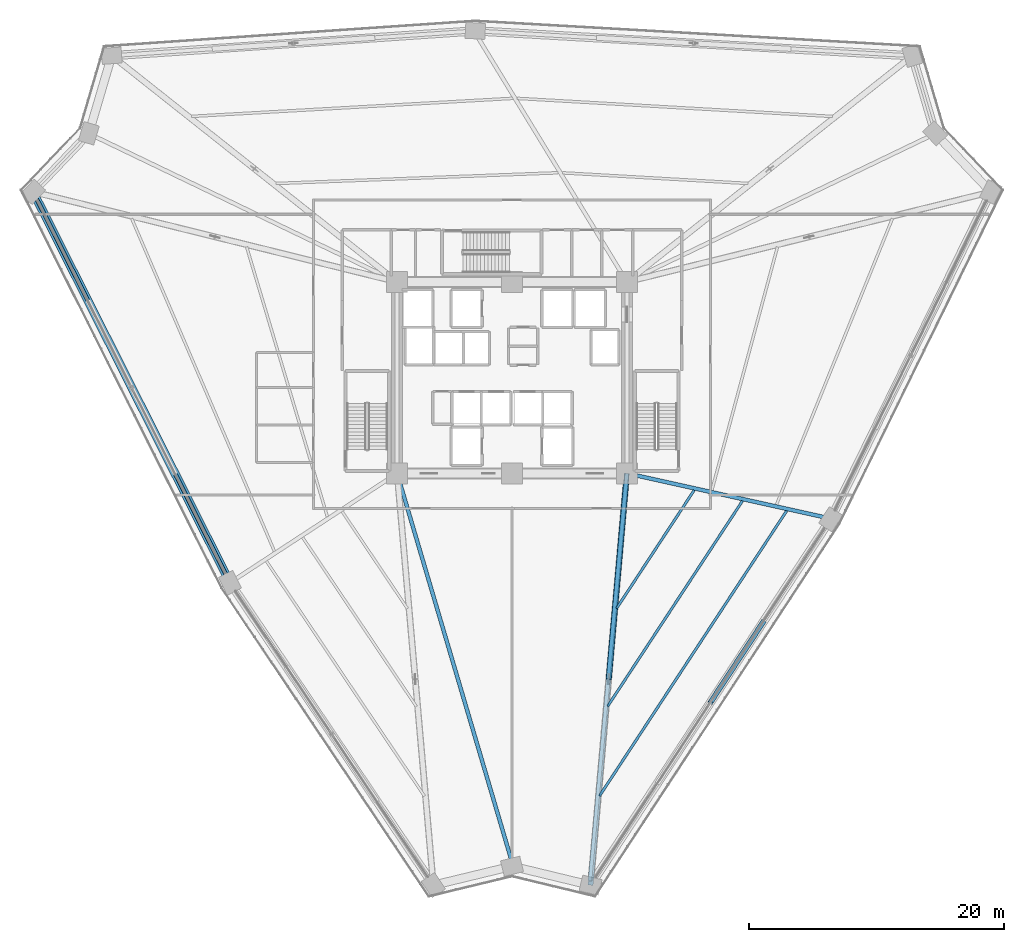
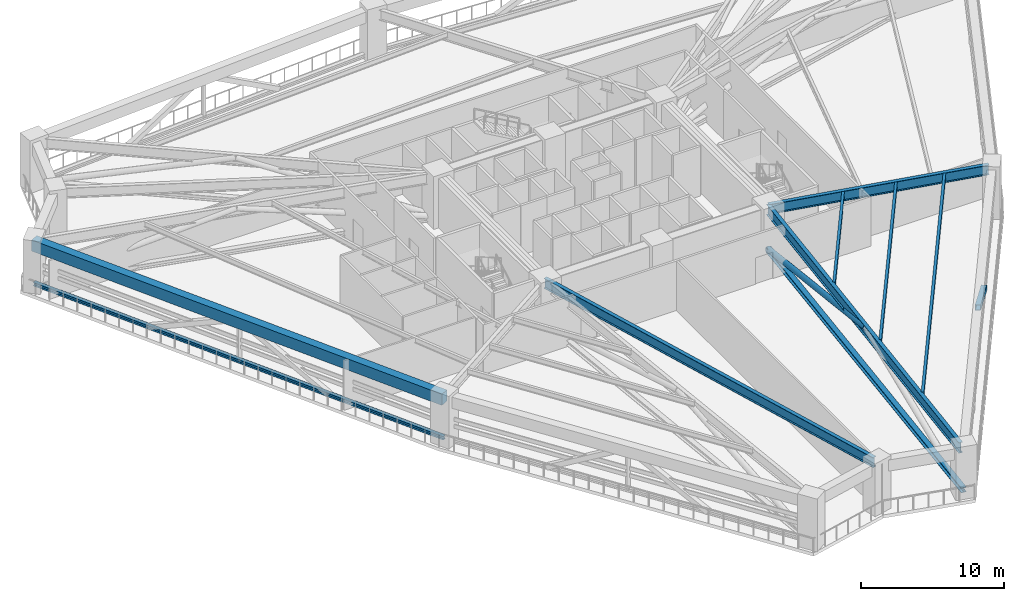
# One storey, part 5 of 25: 7 beams, 4 members.
"""IFC4 building model written with IfcOpenShell, lengths in metres."""

from ifc_helpers import new_model, si_unit, direction, frame, origin, origin_2d, place, context, subcontext, project, spatial, rectangle, hollow_rectangle, hollow_circle, i_section, extrude, source, transform, mapped, material, material_profile, profile_set, type_object, element, save


model = new_model("IFC4")

# Units and contexts
model_context = context("Model", 3, precision=1e-05, world=origin(), true_north=direction((0.0, 1.0)))
body_context = subcontext(model_context, "Body", "Model", "MODEL_VIEW")
ifc_project = project(units=[si_unit("LENGTHUNIT", "METRE"), si_unit("AREAUNIT", "SQUARE_METRE"), si_unit("VOLUMEUNIT", "CUBIC_METRE"), si_unit("PLANEANGLEUNIT", "RADIAN"), si_unit("MASSUNIT", "GRAM", prefix="KILO")], contexts=[model_context])

# Site, building, storey
site_placement = place(None, origin())
site = spatial("IfcSite", under=ifc_project, at=site_placement, CompositionType="ELEMENT")
building_placement = place(site_placement, origin())
building = spatial("IfcBuilding", under=site, at=building_placement, Name="Liaohun Quay Tower", CompositionType="ELEMENT")
storey_placement = place(building_placement, frame((0.0, 0.0, 93.0)))
storey = spatial("IfcBuildingStorey", under=building, at=storey_placement, Name="L24", CompositionType="ELEMENT", Elevation=93.0)

# Beams
ifc_material_1 = material(Name="Precast concrete C55", Category="concrete")
ifc_material_profile_1 = material_profile(ifc_material_1, rectangle(XDim=0.64990234375, YDim=0.949951171875, at=origin_2d()), Name="RC650x950")
ifc_profile_set_1 = profile_set([ifc_material_profile_1], Name="Precast concrete C55")
beam_type_1 = type_object("IfcBeamType", Name="BM-SPD-Z1", PredefinedType="SPANDREL", material=ifc_profile_set_1)
shared_shape_1 = source(origin(), body_context, "Body", "SweptSolid", [
    extrude(rectangle(XDim=0.64990234375, YDim=0.949951171875, at=origin_2d()), origin(), (0.0, 0.0, 1.0), 34.296875),
])
beam_1_placement = place(storey_placement, frame((37.908935546875, 37.925048828125, 3.7451171875), z_axis=(-0.44989382051, 0.893082051251, 0.0), x_axis=(-0.893082051251, -0.44989382051, 0.0)))
element("IfcBeam", 1, at=beam_1_placement, inside=storey, type_object=beam_type_1, Name="L24 Precast Spandrel Beam PC02-PC03", PredefinedType="SPANDREL", context=body_context, shape_type="MappedRepresentation", body=[
    mapped(shared_shape_1, transform((0.0, 0.0, 0.0), x_axis=(1.0, 0.0, 0.0), y_axis=(0.0, 1.0, 0.0), z_axis=(0.0, 0.0, 1.0), scale=1.0)),
])
ifc_material_2 = material(Name="Steel Q355D", Category="steel")
ifc_material_profile_2 = material_profile(ifc_material_2, i_section(OverallWidth=0.300048828125, OverallDepth=0.85009765625, WebThickness=0.01611328125, FlangeThickness=0.028076171875, at=origin_2d()), Name="HN850x300x16x28")
ifc_profile_set_2 = profile_set([ifc_material_profile_2], Name="Steel Q355D")
beam_type_2 = type_object("IfcBeamType", Name="BM-RAD-H2", PredefinedType="BEAM", material=ifc_profile_set_2)
shared_shape_2 = source(origin(), body_context, "Body", "SweptSolid", [
    extrude(i_section(OverallWidth=0.300048828125, OverallDepth=0.85009765625, WebThickness=0.01611328125, FlangeThickness=0.028076171875, at=origin_2d()), origin(), (0.0, 0.0, 1.0), 16.1474609375),
])
beam_2_placement = place(storey_placement, frame((69.0, 46.5, 3.794921875), z_axis=(0.976186348676, -0.21693365958, 0.0), x_axis=(0.21693365958, 0.976186348676, 0.0)))
element("IfcBeam", 2, at=beam_2_placement, inside=storey, type_object=beam_type_2, Name="L24 Radial Primary Girder CC3-PC10", PredefinedType="BEAM", context=body_context, shape_type="MappedRepresentation", body=[
    mapped(shared_shape_2, transform((0.0, 0.0, 0.0), x_axis=(1.0, 0.0, 0.0), y_axis=(0.0, 1.0, 0.0), z_axis=(0.0, 0.0, 1.0), scale=1.0)),
])
ifc_material_3 = material(Name="Steel Q420D", Category="steel")
ifc_material_profile_3 = material_profile(ifc_material_3, i_section(OverallWidth=0.300048828125, OverallDepth=0.89990234375, WebThickness=0.01611328125, FlangeThickness=0.028076171875, at=origin_2d()), Name="HN900x300x16x28")
ifc_profile_set_3 = profile_set([ifc_material_profile_3], Name="Steel Q420D")
beam_type_3 = type_object("IfcBeamType", Name="BM-RAD-H1", PredefinedType="BEAM", material=ifc_profile_set_3)
shared_shape_3 = source(origin(), body_context, "Body", "SweptSolid", [
    extrude(i_section(OverallWidth=0.300048828125, OverallDepth=0.89990234375, WebThickness=0.01611328125, FlangeThickness=0.028076171875, at=origin_2d()), origin(), (0.0, 0.0, 1.0), 32.061279296875),
])
beam_3_placement = place(storey_placement, frame((69.0, 46.5, 3.77001953125), z_axis=(-0.090418339912, -0.995903872775, 0.0), x_axis=(0.995903872775, -0.090418339912, 0.0)))
element("IfcBeam", 3, at=beam_3_placement, inside=storey, type_object=beam_type_3, Name="L24 Radial Primary Girder CC3-PC11", PredefinedType="BEAM", context=body_context, shape_type="MappedRepresentation", body=[
    mapped(shared_shape_3, transform((0.0, 0.0, 0.0), x_axis=(1.0, 0.0, 0.0), y_axis=(0.0, 1.0, 0.0), z_axis=(0.0, 0.0, 1.0), scale=1.0)),
])
shared_shape_4 = source(origin(), body_context, "Body", "SweptSolid", [
    extrude(i_section(OverallWidth=0.300048828125, OverallDepth=0.85009765625, WebThickness=0.01611328125, FlangeThickness=0.028076171875, at=origin_2d()), origin(), (0.0, 0.0, 1.0), 31.759033203125),
])
beam_4_placement = place(storey_placement, frame((51.0, 46.5, 3.794921875), z_axis=(0.283384705116, -0.959006313278, 0.0), x_axis=(0.959006313278, 0.283384705116, 0.0)))
element("IfcBeam", 4, at=beam_4_placement, inside=storey, type_object=beam_type_2, Name="L24 Radial Primary Girder CC1-PC12", PredefinedType="BEAM", context=body_context, shape_type="MappedRepresentation", body=[
    mapped(shared_shape_4, transform((0.0, 0.0, 0.0), x_axis=(1.0, 0.0, 0.0), y_axis=(0.0, 1.0, 0.0), z_axis=(0.0, 0.0, 1.0), scale=1.0)),
])
ifc_material_profile_4 = material_profile(ifc_material_2, i_section(OverallWidth=0.199951171875, OverallDepth=0.449951171875, WebThickness=0.009033203125, FlangeThickness=0.013916015625, at=origin_2d()), Name="HN450x200x9x14")
ifc_profile_set_4 = profile_set([ifc_material_profile_4], Name="Steel Q355D")
beam_type_4 = type_object("IfcBeamType", Name="BM-SEC-J1", PredefinedType="JOIST", material=ifc_profile_set_4)
shared_shape_5 = source(origin(), body_context, "Body", "SweptSolid", [
    extrude(i_section(OverallWidth=0.199951171875, OverallDepth=0.449951171875, WebThickness=0.009033203125, FlangeThickness=0.013916015625, at=origin_2d()), origin(), (0.0, 0.0, 1.0), 11.0830078125),
])
beam_5_placement = place(storey_placement, frame((74.27099609375, 45.175048828125, 3.9951171875), z_axis=(-0.548769028946, -0.835974014471, 0.0), x_axis=(0.835974014471, -0.548769028946, 0.0)))
element("IfcBeam", 5, at=beam_5_placement, inside=storey, type_object=beam_type_4, Name="L24 Wing Secondary Floor Joist SJ-12", PredefinedType="JOIST", context=body_context, shape_type="MappedRepresentation", body=[
    mapped(shared_shape_5, transform((0.0, 0.0, 0.0), x_axis=(1.0, 0.0, 0.0), y_axis=(0.0, 1.0, 0.0), z_axis=(0.0, 0.0, 1.0), scale=1.0)),
])
shared_shape_6 = source(origin(), body_context, "Body", "SweptSolid", [
    extrude(i_section(OverallWidth=0.199951171875, OverallDepth=0.449951171875, WebThickness=0.009033203125, FlangeThickness=0.013916015625, at=origin_2d()), origin(), (0.0, 0.0, 1.0), 19.244384765625),
])
beam_6_placement = place(storey_placement, frame((78.054931640625, 44.333984375, 3.9951171875), z_axis=(-0.548837103158, -0.835929323685, 0.0), x_axis=(0.835929323685, -0.548837103158, 0.0)))
element("IfcBeam", 6, at=beam_6_placement, inside=storey, type_object=beam_type_4, Name="L24 Wing Secondary Floor Joist SJ-13", PredefinedType="JOIST", context=body_context, shape_type="MappedRepresentation", body=[
    mapped(shared_shape_6, transform((0.0, 0.0, 0.0), x_axis=(1.0, 0.0, 0.0), y_axis=(0.0, 1.0, 0.0), z_axis=(0.0, 0.0, 1.0), scale=1.0)),
])
shared_shape_7 = source(origin(), body_context, "Body", "SweptSolid", [
    extrude(i_section(OverallWidth=0.199951171875, OverallDepth=0.449951171875, WebThickness=0.009033203125, FlangeThickness=0.013916015625, at=origin_2d()), origin(), (0.0, 0.0, 1.0), 26.7255859375),
])
beam_7_placement = place(storey_placement, frame((81.52197265625, 43.56396484375, 3.9951171875), z_axis=(-0.548762391512, -0.835978371528, 0.0), x_axis=(0.835978371528, -0.548762391512, 0.0)))
element("IfcBeam", 7, at=beam_7_placement, inside=storey, type_object=beam_type_4, Name="L24 Wing Secondary Floor Joist SJ-14", PredefinedType="JOIST", context=body_context, shape_type="MappedRepresentation", body=[
    mapped(shared_shape_7, transform((0.0, 0.0, 0.0), x_axis=(1.0, 0.0, 0.0), y_axis=(0.0, 1.0, 0.0), z_axis=(0.0, 0.0, 1.0), scale=1.0)),
])

# Members
ifc_material_profile_5 = material_profile(ifc_material_3, i_section(OverallWidth=0.405029296875, OverallDepth=0.4140625, WebThickness=0.01806640625, FlangeThickness=0.028076171875, at=origin_2d()), Name="HW414x405x18x28")
ifc_profile_set_5 = profile_set([ifc_material_profile_5], Name="Steel Q420D")
member_type_1 = type_object("IfcMemberType", Name="MEM-OUT-CHD", PredefinedType="CHORD", material=ifc_profile_set_5)
shared_shape_8 = source(origin(), body_context, "Body", "SweptSolid", [
    extrude(i_section(OverallWidth=0.405029296875, OverallDepth=0.4140625, WebThickness=0.01806640625, FlangeThickness=0.028076171875, at=origin_2d()), origin(), (0.0, 0.0, 1.0), 32.396240234375),
])
member_1_placement = place(storey_placement, frame((69.0, 46.5, 0.35009765625), z_axis=(-0.087818151499, -0.996136522906, 0.0), x_axis=(0.996136522906, -0.087818151499, 0.0)))
element("IfcMember", 8, at=member_1_placement, inside=storey, type_object=member_type_1, Name="L24 Outrigger Bottom Chord OC-06", PredefinedType="CHORD", context=body_context, shape_type="MappedRepresentation", body=[
    mapped(shared_shape_8, transform((0.0, 0.0, 0.0), x_axis=(1.0, 0.0, 0.0), y_axis=(0.0, 1.0, 0.0), z_axis=(0.0, 0.0, 1.0), scale=1.0)),
])
ifc_material_profile_6 = material_profile(ifc_material_3, hollow_circle(Radius=0.228515625, WallThickness=0.02001953125, at=origin_2d()), Name="CHS457x20")
ifc_profile_set_6 = profile_set([ifc_material_profile_6], Name="Steel Q420D")
member_type_2 = type_object("IfcMemberType", Name="MEM-OUT-DG1", PredefinedType="BRACE", material=ifc_profile_set_6)
shared_shape_9 = source(origin(), body_context, "Body", "SweptSolid", [
    extrude(hollow_circle(Radius=0.228515625, WallThickness=0.02001953125, at=origin_2d()), origin(), (0.0, 0.0, 1.0), 16.587158203125),
])
member_2_placement = place(storey_placement, frame((69.0, 46.5, 0.35009765625), z_axis=(-0.085735794241, -0.972795853862, 0.215215241783), x_axis=(0.996138732751, -0.087793081238, 0.0)))
element("IfcMember", 9, at=member_2_placement, inside=storey, type_object=member_type_2, Name="L24 Outrigger Diagonal OD-06A", PredefinedType="BRACE", context=body_context, shape_type="MappedRepresentation", body=[
    mapped(shared_shape_9, transform((0.0, 0.0, 0.0), x_axis=(1.0, 0.0, 0.0), y_axis=(0.0, 1.0, 0.0), z_axis=(0.0, 0.0, 1.0), scale=1.0)),
])
ifc_material_profile_7 = material_profile(ifc_material_2, i_section(OverallWidth=0.300048828125, OverallDepth=0.300048828125, WebThickness=0.010009765625, FlangeThickness=0.014892578125, at=origin_2d()), Name="HW300x300x10x15")
ifc_profile_set_7 = profile_set([ifc_material_profile_7], Name="Steel Q355D")
member_type_3 = type_object("IfcMemberType", Name="MEM-BLT-CHD", PredefinedType="CHORD", material=ifc_profile_set_7)
shared_shape_10 = source(origin(), body_context, "Body", "SweptSolid", [
    extrude(i_section(OverallWidth=0.300048828125, OverallDepth=0.300048828125, WebThickness=0.010009765625, FlangeThickness=0.014892578125, at=origin_2d()), origin(), (0.0, 0.0, 1.0), 34.296875),
])
member_3_placement = place(storey_placement, frame((37.908935546875, 37.925048828125, 0.35009765625), z_axis=(-0.44989382051, 0.893082051251, 0.0), x_axis=(-0.893082051251, -0.44989382051, 0.0)))
element("IfcMember", 10, at=member_3_placement, inside=storey, type_object=member_type_3, Name="L24 Belt Truss Bottom Chord BC-1-02", PredefinedType="CHORD", context=body_context, shape_type="MappedRepresentation", body=[
    mapped(shared_shape_10, transform((0.0, 0.0, 0.0), x_axis=(1.0, 0.0, 0.0), y_axis=(0.0, 1.0, 0.0), z_axis=(0.0, 0.0, 1.0), scale=1.0)),
])
ifc_material_profile_8 = material_profile(ifc_material_3, hollow_rectangle(XDim=0.39990234375, YDim=0.39990234375, WallThickness=0.02001953125, at=origin_2d()), Name="SHS400x400x20")
ifc_profile_set_8 = profile_set([ifc_material_profile_8], Name="Steel Q420D")
member_type_4 = type_object("IfcMemberType", Name="MEM-BLT-DG1", PredefinedType="BRACE", material=ifc_profile_set_8)
shared_shape_11 = source(origin(), body_context, "Body", "SweptSolid", [
    extrude(hollow_rectangle(XDim=0.39990234375, YDim=0.39990234375, WallThickness=0.02001953125, at=origin_2d()), origin(), (0.0, 0.0, 1.0), 8.34716796875),
])
member_4_placement = place(storey_placement, frame((79.699951171875, 34.876953125, 0.35009765625), z_axis=(-0.495844983993, -0.755803116343, 0.427667395502), x_axis=(0.836124431911, -0.548539820215, 0.0)))
element("IfcMember", 11, at=member_4_placement, inside=storey, type_object=member_type_4, Name="L24 Belt Truss Diagonal BD-06A", PredefinedType="BRACE", context=body_context, shape_type="MappedRepresentation", body=[
    mapped(shared_shape_11, transform((0.0, 0.0, 0.0), x_axis=(1.0, 0.0, 0.0), y_axis=(0.0, 1.0, 0.0), z_axis=(0.0, 0.0, 1.0), scale=1.0)),
])

save(model, "model.ifc")
